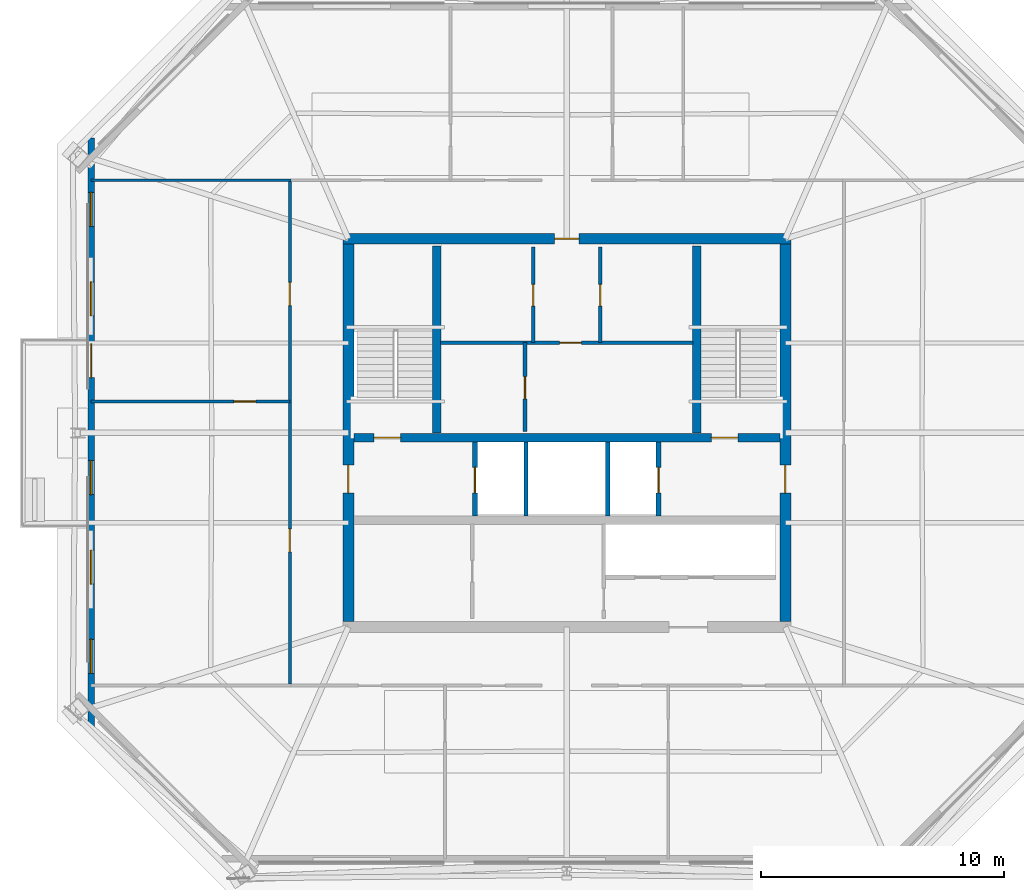
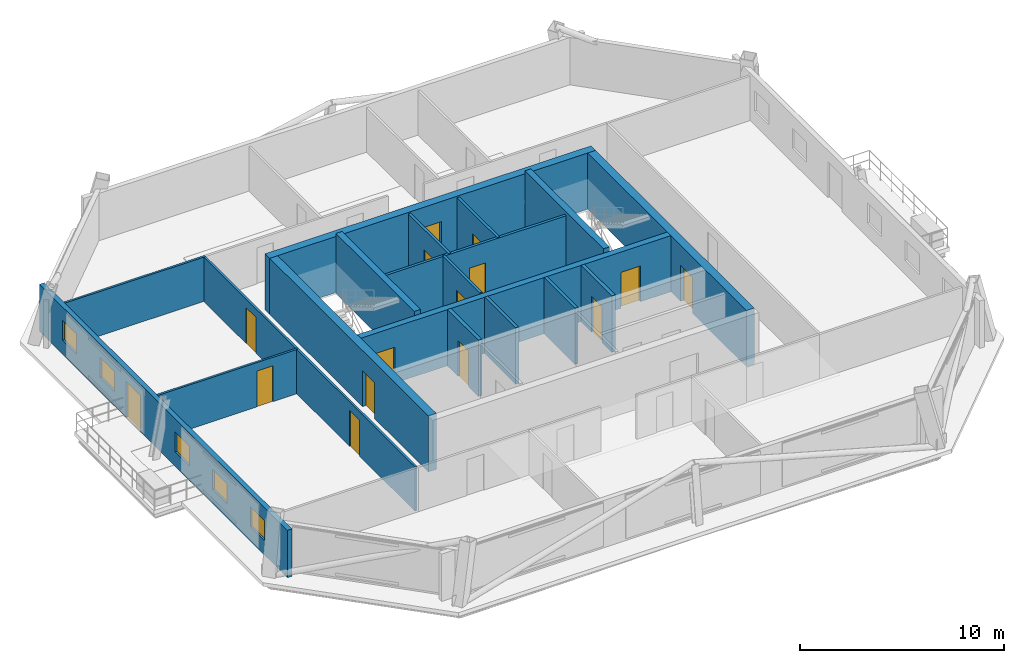
# One storey, part 3 of 7: 18 walls, 15 doors, 5 windows, 20 openings.
"""IFC4 building model written with IfcOpenShell, lengths in metres."""

from ifc_helpers import new_model, si_unit, direction, frame, frame_2d, origin, place, context, subcontext, project, spatial, rectangle, extrude, material, layer, layer_set, type_object, element, fill, save


model = new_model("IFC4")

# Units and contexts
model_context = context("Model", 3, precision=1e-05, world=origin(), true_north=direction((0.0, 1.0)))
body_context = subcontext(model_context, "Body", "Model", "MODEL_VIEW")
ifc_project = project(units=[si_unit("LENGTHUNIT", "METRE"), si_unit("AREAUNIT", "SQUARE_METRE"), si_unit("VOLUMEUNIT", "CUBIC_METRE"), si_unit("PLANEANGLEUNIT", "RADIAN"), si_unit("MASSUNIT", "GRAM", prefix="KILO")], contexts=[model_context])

# Site, building, storey
site_placement = place(None, origin())
site = spatial("IfcSite", under=ifc_project, at=site_placement, CompositionType="ELEMENT")
building_placement = place(site_placement, origin())
building = spatial("IfcBuilding", under=site, at=building_placement, Name="Caelvoria Tower", CompositionType="ELEMENT")
storey_placement = place(building_placement, frame((0.0, 0.0, 227.39990234375)))
storey = spatial("IfcBuildingStorey", under=building, at=storey_placement, Name="L60", CompositionType="ELEMENT", Elevation=227.39990234375)

# Wall, openings, doors
ifc_material_1 = material(Name="Concrete C50/60", Category="concrete")
ifc_layer_1 = layer(ifc_material_1, 0.35009765625, Name="Concrete C50/60")
ifc_layer_set_1 = layer_set([ifc_layer_1], Name="Core Internal Shear Wall 350 - Concrete C50/60")
wall_type_1 = type_object("IfcWallType", Name="Core Internal Shear Wall 350", PredefinedType="SHEAR", material=ifc_layer_set_1)
wall_1_placement = place(storey_placement, frame((37.22509765625, 31.800048828125, 0.0), z_axis=(0.0, 0.0, 1.0), x_axis=(1.0, 0.0, 0.0)))
wall_1 = element("IfcWall", 1, at=wall_1_placement, inside=storey, type_object=wall_type_1, Name="Core Shear Wall L60 M1", PredefinedType="SHEAR", context=body_context, shape_type="SweptSolid", body=[
    extrude(rectangle(XDim=17.5498046875, YDim=0.35009765625, at=frame_2d((8.77490234375, 0.0))), origin(), (0.0, 0.0, 1.0), 3.360107421875),
])
opening_1_placement = place(wall_1_placement, frame((0.824951171875, 0.0, 0.0)))
opening_1 = element("IfcOpeningElement", 2, at=opening_1_placement, cuts=wall_1, Name="Opening ID-01", PredefinedType="OPENING", context=body_context, shape_type="SweptSolid", body=[
    extrude(rectangle(XDim=1.10009765625, YDim=2.14990234375, at=frame_2d((0.550048828125, 1.074951171875))), frame((0.0, 0.18505859375, 0.0), z_axis=(0.0, -1.0, 0.0), x_axis=(1.0, 0.0, 0.0)), (0.0, 0.0, 1.0), 0.3701171875),
])
opening_2_placement = place(wall_1_placement, frame((14.72509765625, 0.0, 0.0)))
opening_2 = element("IfcOpeningElement", 3, at=opening_2_placement, cuts=wall_1, Name="Opening ID-01", PredefinedType="OPENING", context=body_context, shape_type="SweptSolid", body=[
    extrude(rectangle(XDim=1.10009765625, YDim=2.14990234375, at=frame_2d((0.550048828125, 1.074951171875))), frame((0.0, 0.18505859375, 0.0), z_axis=(0.0, -1.0, 0.0), x_axis=(1.0, 0.0, 0.0)), (0.0, 0.0, 1.0), 0.3701171875),
])
ifc_material_2 = material(Name="Painted Hollow Steel Fire Door", Category="steel")
door_type_1 = type_object("IfcDoorType", Name="Fire Door FD90S 1100x2150", OperationType="NOTDEFINED", PredefinedType="DOOR", material=ifc_material_2)
door_1_placement = place(opening_1_placement, origin())
door_1 = element("IfcDoor", 4, at=door_1_placement, inside=storey, type_object=door_type_1, Name="Core Door DR-L60-ST1", OperationType="SINGLE_SWING_LEFT", OverallHeight=2.14990234375, OverallWidth=1.10009765625, PredefinedType="DOOR", context=body_context, shape_type="SweptSolid", body=[
    extrude(rectangle(XDim=1.10009765625, YDim=2.14990234375, at=frame_2d((0.550048828125, 1.074951171875))), frame((0.0, 0.02490234375, 0.0), z_axis=(0.0, -1.0, 0.0), x_axis=(1.0, 0.0, 0.0)), (0.0, 0.0, 1.0), 0.050048828125),
])
fill(opening_1, door_1)
door_2_placement = place(opening_2_placement, origin())
door_2 = element("IfcDoor", 5, at=door_2_placement, inside=storey, type_object=door_type_1, Name="Core Door DR-L60-ST2", OperationType="SINGLE_SWING_RIGHT", OverallHeight=2.14990234375, OverallWidth=1.10009765625, PredefinedType="DOOR", context=body_context, shape_type="SweptSolid", body=[
    extrude(rectangle(XDim=1.10009765625, YDim=2.14990234375, at=frame_2d((0.550048828125, 1.074951171875))), frame((0.0, 0.02490234375, 0.0), z_axis=(0.0, -1.0, 0.0), x_axis=(1.0, 0.0, 0.0)), (0.0, 0.0, 1.0), 0.050048828125),
])
fill(opening_2, door_2)

# Walls
for number, where, z_axis, x_axis, name in (
    (6, (40.64990234375, 32.0, 0.0), (0.0, 0.0, 1.0), (0.0, 1.0, 0.0), "Interior Partition IW-L60-ST1E"),
    (7, (51.35009765625, 32.0, 0.0), (0.0, 0.0, 1.0), (0.0, 1.0, 0.0), "Interior Partition IW-L60-ST2W"),
):
    element("IfcWall", number, at=place(storey_placement, frame(where, z_axis=z_axis, x_axis=x_axis)), inside=storey, type_object=wall_type_1, Name=name, PredefinedType="SHEAR", context=body_context, shape_type="SweptSolid", body=[
        extrude(rectangle(XDim=7.699951171875, YDim=0.35009765625, at=frame_2d((3.85009765625, 0.0))), origin(), (0.0, 0.0, 1.0), 3.60009765625),
    ])

# Wall, opening, door
ifc_material_3 = material(Name="Double Gypsum Board on Steel Stud", Category="steel")
ifc_layer_2 = layer(ifc_material_3, 0.14990234375, Name="Double Gypsum Board on Steel Stud")
ifc_layer_set_2 = layer_set([ifc_layer_2], Name="Core Service Acoustic Partition Wall 150 - Double Gypsum Board on Steel Stud")
wall_type_2 = type_object("IfcWallType", Name="Core Service Acoustic Partition Wall 150", PredefinedType="PARTITIONING", material=ifc_layer_set_2)
wall_2_placement = place(storey_placement, frame((44.6201171875, 35.719970703125, 0.0), z_axis=(0.0, 0.0, 1.0), x_axis=(0.0, 1.0, 0.0)))
wall_2 = element("IfcWall", 8, at=wall_2_placement, inside=storey, type_object=wall_type_2, Name="Interior Partition IW-L60-C0L", PredefinedType="PARTITIONING", context=body_context, shape_type="SweptSolid", body=[
    extrude(rectangle(XDim=3.929931640625, YDim=0.14990234375, at=frame_2d((1.96484375, 0.0))), origin(), (0.0, 0.0, 1.0), 3.375),
])
opening_3_placement = place(wall_2_placement, frame((1.5, 0.0, 0.0)))
opening_3 = element("IfcOpeningElement", 9, at=opening_3_placement, cuts=wall_2, Name="Opening ID-06", PredefinedType="OPENING", context=body_context, shape_type="SweptSolid", body=[
    extrude(rectangle(XDim=0.89990234375, YDim=2.14990234375, at=frame_2d((0.449951171875, 1.074951171875))), frame((0.0, 0.0849609375, 0.0), z_axis=(0.0, -1.0, 0.0), x_axis=(1.0, 0.0, 0.0)), (0.0, 0.0, 1.0), 0.169921875),
])
ifc_material_4 = material(Name="Engineered Andean Oak Veneer Door", Category="wood")
door_type_2 = type_object("IfcDoorType", Name="Interior Timber Door 900x2150", OperationType="NOTDEFINED", PredefinedType="DOOR", material=ifc_material_4)
door_3_placement = place(opening_3_placement, origin())
door_3 = element("IfcDoor", 10, at=door_3_placement, inside=storey, type_object=door_type_2, Name="Interior Door DR-L60-C01", OperationType="SINGLE_SWING_LEFT", OverallHeight=2.14990234375, OverallWidth=0.89990234375, PredefinedType="DOOR", context=body_context, shape_type="SweptSolid", body=[
    extrude(rectangle(XDim=0.89990234375, YDim=2.14990234375, at=frame_2d((0.449951171875, 1.074951171875))), frame((0.0, 0.02490234375, 0.0), z_axis=(0.0, -1.0, 0.0), x_axis=(1.0, 0.0, 0.0)), (0.0, 0.0, 1.0), 0.050048828125),
])
fill(opening_3, door_3)

wall_3_placement = place(storey_placement, frame((47.3798828125, 35.719970703125, 0.0), z_axis=(0.0, 0.0, 1.0), x_axis=(0.0, 1.0, 0.0)))
wall_3 = element("IfcWall", 11, at=wall_3_placement, inside=storey, type_object=wall_type_2, Name="Interior Partition IW-L60-C0R", PredefinedType="PARTITIONING", context=body_context, shape_type="SweptSolid", body=[
    extrude(rectangle(XDim=3.929931640625, YDim=0.14990234375, at=frame_2d((1.96484375, 0.0))), origin(), (0.0, 0.0, 1.0), 3.375),
])
opening_4_placement = place(wall_3_placement, frame((1.5, 0.0, 0.0)))
opening_4 = element("IfcOpeningElement", 12, at=opening_4_placement, cuts=wall_3, Name="Opening ID-06", PredefinedType="OPENING", context=body_context, shape_type="SweptSolid", body=[
    extrude(rectangle(XDim=0.89990234375, YDim=2.14990234375, at=frame_2d((0.449951171875, 1.074951171875))), frame((0.0, 0.0849609375, 0.0), z_axis=(0.0, -1.0, 0.0), x_axis=(1.0, 0.0, 0.0)), (0.0, 0.0, 1.0), 0.169921875),
])
door_4_placement = place(opening_4_placement, origin())
door_4 = element("IfcDoor", 13, at=door_4_placement, inside=storey, type_object=door_type_2, Name="Interior Door DR-L60-C02", OperationType="SINGLE_SWING_RIGHT", OverallHeight=2.14990234375, OverallWidth=0.89990234375, PredefinedType="DOOR", context=body_context, shape_type="SweptSolid", body=[
    extrude(rectangle(XDim=0.89990234375, YDim=2.14990234375, at=frame_2d((0.449951171875, 1.074951171875))), frame((0.0, 0.02490234375, 0.0), z_axis=(0.0, -1.0, 0.0), x_axis=(1.0, 0.0, 0.0)), (0.0, 0.0, 1.0), 0.050048828125),
])
fill(opening_4, door_4)

wall_4_placement = place(storey_placement, frame((44.280029296875, 32.050048828125, 0.0), z_axis=(0.0, 0.0, 1.0), x_axis=(0.0, 1.0, 0.0)))
wall_4 = element("IfcWall", 14, at=wall_4_placement, inside=storey, type_object=wall_type_2, Name="Interior Partition IW-L60-C0M", PredefinedType="PARTITIONING", context=body_context, shape_type="SweptSolid", body=[
    extrude(rectangle(XDim=3.669921875, YDim=0.14990234375, at=frame_2d((1.8349609375, 0.0))), origin(), (0.0, 0.0, 1.0), 3.375),
])
opening_5_placement = place(wall_4_placement, frame((1.35009765625, 0.0, 0.0)))
opening_5 = element("IfcOpeningElement", 15, at=opening_5_placement, cuts=wall_4, Name="Opening ID-07", PredefinedType="OPENING", context=body_context, shape_type="SweptSolid", body=[
    extrude(rectangle(XDim=0.919921875, YDim=2.14990234375, at=frame_2d((0.4599609375, 1.074951171875))), frame((0.0, 0.0849609375, 0.0), z_axis=(0.0, -1.0, 0.0), x_axis=(1.0, 0.0, 0.0)), (0.0, 0.0, 1.0), 0.169921875),
])
ifc_material_5 = material(Name="Engineered Andean Oak Accessible Door", Category="wood")
door_type_3 = type_object("IfcDoorType", Name="Accessible WC Door 950x2150", OperationType="NOTDEFINED", PredefinedType="DOOR", material=ifc_material_5)
door_5_placement = place(opening_5_placement, origin())
door_5 = element("IfcDoor", 16, at=door_5_placement, inside=storey, type_object=door_type_3, Name="Interior Door DR-L60-C05", OperationType="SINGLE_SWING_LEFT", OverallHeight=2.14990234375, OverallWidth=0.919921875, PredefinedType="DOOR", context=body_context, shape_type="SweptSolid", body=[
    extrude(rectangle(XDim=0.919921875, YDim=2.14990234375, at=frame_2d((0.4599609375, 1.074951171875))), frame((0.0, 0.02490234375, 0.0), z_axis=(0.0, -1.0, 0.0), x_axis=(1.0, 0.0, 0.0)), (0.0, 0.0, 1.0), 0.050048828125),
])
fill(opening_5, door_5)

wall_5_placement = place(storey_placement, frame((40.800048828125, 35.719970703125, 0.0), z_axis=(0.0, 0.0, 1.0), x_axis=(1.0, 0.0, 0.0)))
wall_5 = element("IfcWall", 17, at=wall_5_placement, inside=storey, type_object=wall_type_2, Name="Interior Partition IW-L60-C0H", PredefinedType="PARTITIONING", context=body_context, shape_type="SweptSolid", body=[
    extrude(rectangle(XDim=10.39990234375, YDim=0.14990234375, at=frame_2d((5.199951171875, 0.0))), origin(), (0.0, 0.0, 1.0), 3.375),
])
opening_6_placement = place(wall_5_placement, frame((4.89990234375, 0.0, 0.0)))
opening_6 = element("IfcOpeningElement", 18, at=opening_6_placement, cuts=wall_5, Name="Opening ID-04", PredefinedType="OPENING", context=body_context, shape_type="SweptSolid", body=[
    extrude(rectangle(XDim=0.89990234375, YDim=2.14990234375, at=frame_2d((0.449951171875, 1.074951171875))), frame((0.0, 0.0849609375, 0.0), z_axis=(0.0, -1.0, 0.0), x_axis=(1.0, 0.0, 0.0)), (0.0, 0.0, 1.0), 0.169921875),
])
ifc_material_6 = material(Name="Acoustic Timber Fire Door", Category="wood")
door_type_4 = type_object("IfcDoorType", Name="Fire Door FD30S 900x2150", OperationType="NOTDEFINED", PredefinedType="DOOR", material=ifc_material_6)
door_6_placement = place(opening_6_placement, origin())
door_6 = element("IfcDoor", 19, at=door_6_placement, inside=storey, type_object=door_type_4, Name="Interior Door DR-L60-C04", OperationType="SINGLE_SWING_RIGHT", OverallHeight=2.14990234375, OverallWidth=0.89990234375, PredefinedType="DOOR", context=body_context, shape_type="SweptSolid", body=[
    extrude(rectangle(XDim=0.89990234375, YDim=2.14990234375, at=frame_2d((0.449951171875, 1.074951171875))), frame((0.0, 0.02490234375, 0.0), z_axis=(0.0, -1.0, 0.0), x_axis=(1.0, 0.0, 0.0)), (0.0, 0.0, 1.0), 0.050048828125),
])
fill(opening_6, door_6)

# Walls
ifc_material_7 = material(Name="Concrete Block and Fireboard Assembly", Category="concrete")
ifc_layer_3 = layer(ifc_material_7, 0.179931640625, Name="Concrete Block and Fireboard Assembly")
ifc_layer_set_3 = layer_set([ifc_layer_3], Name="Fire-Rated Hoistway Partition Wall 180 - Concrete Block and Fireboard Assembly")
wall_type_3 = type_object("IfcWallType", Name="Fire-Rated Hoistway Partition Wall 180", PredefinedType="PARTITIONING", material=ifc_layer_set_3)
for number, where, z_axis, x_axis, name in (
    (20, (44.320068359375, 28.580078125, 0.0), (0.0, 0.0, 1.0), (0.0, 1.0, 0.0), "Interior Partition IW-L60-SV1W"),
    (21, (47.679931640625, 28.580078125, 0.0), (0.0, 0.0, 1.0), (0.0, 1.0, 0.0), "Interior Partition IW-L60-SV1E"),
):
    element("IfcWall", number, at=place(storey_placement, frame(where, z_axis=z_axis, x_axis=x_axis)), inside=storey, type_object=wall_type_3, Name=name, PredefinedType="PARTITIONING", context=body_context, shape_type="SweptSolid", body=[
        extrude(rectangle(XDim=3.0400390625, YDim=0.179931640625, at=frame_2d((1.52001953125, 0.0))), origin(), (0.0, 0.0, 1.0), 3.375),
    ])

# Wall, opening, door
ifc_layer_4 = layer(ifc_material_7, 0.199951171875, Name="Concrete Block and Fireboard Assembly")
ifc_layer_set_4 = layer_set([ifc_layer_4], Name="Fire-Rated Shaft and Core Partition Wall 200 - Concrete Block and Fireboard Assembly")
wall_type_4 = type_object("IfcWallType", Name="Fire-Rated Shaft and Core Partition Wall 200", PredefinedType="PARTITIONING", material=ifc_layer_set_4)
wall_6_placement = place(storey_placement, frame((42.219970703125, 28.580078125, 0.0), z_axis=(0.0, 0.0, 1.0), x_axis=(0.0, 1.0, 0.0)))
wall_6 = element("IfcWall", 22, at=wall_6_placement, inside=storey, type_object=wall_type_4, Name="Interior Partition IW-L60-LF1W", PredefinedType="PARTITIONING", context=body_context, shape_type="SweptSolid", body=[
    extrude(rectangle(XDim=3.0400390625, YDim=0.199951171875, at=frame_2d((1.52001953125, 0.0))), origin(), (0.0, 0.0, 1.0), 3.375),
])
opening_7_placement = place(wall_6_placement, frame((0.949951171875, 0.0, 0.0)))
opening_7 = element("IfcOpeningElement", 23, at=opening_7_placement, cuts=wall_6, Name="Opening LD-01", PredefinedType="OPENING", context=body_context, shape_type="SweptSolid", body=[
    extrude(rectangle(XDim=1.050048828125, YDim=2.14990234375, at=frame_2d((0.52490234375, 1.074951171875))), frame((0.0, 0.10986328125, 0.0), z_axis=(0.0, -1.0, 0.0), x_axis=(1.0, 0.0, 0.0)), (0.0, 0.0, 1.0), 0.219970703125),
])
ifc_material_8 = material(Name="Brushed Bronze Stainless Sliding Landing Door", Category="aluminium")
door_type_5 = type_object("IfcDoorType", Name="Lift Landing Sliding Door 1100x2150", OperationType="NOTDEFINED", PredefinedType="DOOR", material=ifc_material_8)
door_7_placement = place(opening_7_placement, origin())
door_7 = element("IfcDoor", 24, at=door_7_placement, inside=storey, type_object=door_type_5, Name="Interior Door LD-L60-LF1", OperationType="SLIDING_TO_LEFT", OverallHeight=2.14990234375, OverallWidth=1.050048828125, PredefinedType="DOOR", context=body_context, shape_type="SweptSolid", body=[
    extrude(rectangle(XDim=1.050048828125, YDim=2.14990234375, at=frame_2d((0.52490234375, 1.074951171875))), frame((0.0, 0.02490234375, 0.0), z_axis=(0.0, -1.0, 0.0), x_axis=(1.0, 0.0, 0.0)), (0.0, 0.0, 1.0), 0.050048828125),
])
fill(opening_7, door_7)

wall_7_placement = place(storey_placement, frame((49.780029296875, 28.580078125, 0.0), z_axis=(0.0, 0.0, 1.0), x_axis=(0.0, 1.0, 0.0)))
wall_7 = element("IfcWall", 25, at=wall_7_placement, inside=storey, type_object=wall_type_4, Name="Interior Partition IW-L60-LF2E", PredefinedType="PARTITIONING", context=body_context, shape_type="SweptSolid", body=[
    extrude(rectangle(XDim=3.0400390625, YDim=0.199951171875, at=frame_2d((1.52001953125, 0.0))), origin(), (0.0, 0.0, 1.0), 3.375),
])
opening_8_placement = place(wall_7_placement, frame((0.949951171875, 0.0, 0.0)))
opening_8 = element("IfcOpeningElement", 26, at=opening_8_placement, cuts=wall_7, Name="Opening LD-01", PredefinedType="OPENING", context=body_context, shape_type="SweptSolid", body=[
    extrude(rectangle(XDim=1.050048828125, YDim=2.14990234375, at=frame_2d((0.52490234375, 1.074951171875))), frame((0.0, 0.10986328125, 0.0), z_axis=(0.0, -1.0, 0.0), x_axis=(1.0, 0.0, 0.0)), (0.0, 0.0, 1.0), 0.219970703125),
])
door_8_placement = place(opening_8_placement, origin())
door_8 = element("IfcDoor", 27, at=door_8_placement, inside=storey, type_object=door_type_5, Name="Interior Door LD-L60-LF2", OperationType="SLIDING_TO_RIGHT", OverallHeight=2.14990234375, OverallWidth=1.050048828125, PredefinedType="DOOR", context=body_context, shape_type="SweptSolid", body=[
    extrude(rectangle(XDim=1.050048828125, YDim=2.14990234375, at=frame_2d((0.52490234375, 1.074951171875))), frame((0.0, 0.02490234375, 0.0), z_axis=(0.0, -1.0, 0.0), x_axis=(1.0, 0.0, 0.0)), (0.0, 0.0, 1.0), 0.050048828125),
])
fill(opening_8, door_8)

ifc_material_9 = material(Name="Acoustic Gypsum Board on Light-Gauge Stud", Category="gypsum")
ifc_layer_5 = layer(ifc_material_9, 0.1201171875, Name="Acoustic Gypsum Board on Light-Gauge Stud")
ifc_layer_set_5 = layer_set([ifc_layer_5], Name="Tenant Suite Acoustic Partition Wall 120 - Acoustic Gypsum Board on Light-Gauge Stud")
wall_type_5 = type_object("IfcWallType", Name="Tenant Suite Acoustic Partition Wall 120", PredefinedType="PARTITIONING", material=ifc_layer_set_5)
wall_8_placement = place(storey_placement, frame((34.590087890625, 33.298583984375, 0.0), z_axis=(0.0, 0.0, 1.0), x_axis=(-1.0, 0.0, 0.0)))
wall_8 = element("IfcWall", 28, at=wall_8_placement, inside=storey, type_object=wall_type_5, Name="Interior Partition IW-L60-WD-00-0", PredefinedType="PARTITIONING", context=body_context, shape_type="SweptSolid", body=[
    extrude(rectangle(XDim=8.182861328125, YDim=0.1201171875, at=frame_2d((4.09130859375, 0.0))), origin(), (0.0, 0.0, 1.0), 2.655029296875),
])
opening_9_placement = place(wall_8_placement, frame((1.39990234375, 0.0, 0.0)))
opening_9 = element("IfcOpeningElement", 29, at=opening_9_placement, cuts=wall_8, Name="Opening ID-06", PredefinedType="OPENING", context=body_context, shape_type="SweptSolid", body=[
    extrude(rectangle(XDim=0.89990234375, YDim=2.14990234375, at=frame_2d((0.449951171875, 1.074951171875))), frame((0.0, 0.070068359375, 0.0), z_axis=(0.0, -1.0, 0.0), x_axis=(1.0, 0.0, 0.0)), (0.0, 0.0, 1.0), 0.14013671875),
])
door_9_placement = place(opening_9_placement, origin())
door_9 = element("IfcDoor", 30, at=door_9_placement, inside=storey, type_object=door_type_2, Name="Interior Door DR-L60-WM-00-0", OperationType="SINGLE_SWING_RIGHT", OverallHeight=2.14990234375, OverallWidth=0.89990234375, PredefinedType="DOOR", context=body_context, shape_type="SweptSolid", body=[
    extrude(rectangle(XDim=0.89990234375, YDim=2.14990234375, at=frame_2d((0.449951171875, 1.074951171875))), frame((0.0, 0.02490234375, 0.0), z_axis=(0.0, -1.0, 0.0), x_axis=(1.0, 0.0, 0.0)), (0.0, 0.0, 1.0), 0.050048828125),
])
fill(opening_9, door_9)

# Wall, openings, doors
wall_9_placement = place(storey_placement, frame((34.590087890625, 21.64990234375, 0.0), z_axis=(0.0, 0.0, 1.0), x_axis=(0.0, 1.0, 0.0)))
wall_9 = element("IfcWall", 31, at=wall_9_placement, inside=storey, type_object=wall_type_5, Name="Interior Partition IW-L60-WCW-0", PredefinedType="PARTITIONING", context=body_context, shape_type="SweptSolid", body=[
    extrude(rectangle(XDim=20.7001953125, YDim=0.1201171875, at=frame_2d((10.35009765625, 0.0))), origin(), (0.0, 0.0, 1.0), 2.655029296875),
])
opening_10_placement = place(wall_9_placement, frame((5.44921875, 0.0, 0.0)))
opening_10 = element("IfcOpeningElement", 32, at=opening_10_placement, cuts=wall_9, Name="Opening ID-05", PredefinedType="OPENING", context=body_context, shape_type="SweptSolid", body=[
    extrude(rectangle(XDim=0.949951171875, YDim=2.14990234375, at=frame_2d((0.47509765625, 1.074951171875))), frame((0.0, 0.070068359375, 0.0), z_axis=(0.0, -1.0, 0.0), x_axis=(1.0, 0.0, 0.0)), (0.0, 0.0, 1.0), 0.14013671875),
])
opening_11_placement = place(wall_9_placement, frame((15.59912109375, 0.0, 0.0)))
opening_11 = element("IfcOpeningElement", 33, at=opening_11_placement, cuts=wall_9, Name="Opening ID-05", PredefinedType="OPENING", context=body_context, shape_type="SweptSolid", body=[
    extrude(rectangle(XDim=0.949951171875, YDim=2.14990234375, at=frame_2d((0.47509765625, 1.074951171875))), frame((0.0, 0.070068359375, 0.0), z_axis=(0.0, -1.0, 0.0), x_axis=(1.0, 0.0, 0.0)), (0.0, 0.0, 1.0), 0.14013671875),
])
door_type_6 = type_object("IfcDoorType", Name="Interior Timber Door 950x2150", OperationType="NOTDEFINED", PredefinedType="DOOR", material=ifc_material_4)
door_10_placement = place(opening_10_placement, origin())
door_10 = element("IfcDoor", 34, at=door_10_placement, inside=storey, type_object=door_type_6, Name="Interior Door DR-L60-WC-00-0", OperationType="SINGLE_SWING_LEFT", OverallHeight=2.14990234375, OverallWidth=0.949951171875, PredefinedType="DOOR", context=body_context, shape_type="SweptSolid", body=[
    extrude(rectangle(XDim=0.949951171875, YDim=2.14990234375, at=frame_2d((0.47509765625, 1.074951171875))), frame((0.0, 0.02490234375, 0.0), z_axis=(0.0, -1.0, 0.0), x_axis=(1.0, 0.0, 0.0)), (0.0, 0.0, 1.0), 0.050048828125),
])
fill(opening_10, door_10)
door_11_placement = place(opening_11_placement, origin())
door_11 = element("IfcDoor", 35, at=door_11_placement, inside=storey, type_object=door_type_6, Name="Interior Door DR-L60-WC-01-0", OperationType="SINGLE_SWING_RIGHT", OverallHeight=2.14990234375, OverallWidth=0.949951171875, PredefinedType="DOOR", context=body_context, shape_type="SweptSolid", body=[
    extrude(rectangle(XDim=0.949951171875, YDim=2.14990234375, at=frame_2d((0.47509765625, 1.074951171875))), frame((0.0, 0.02490234375, 0.0), z_axis=(0.0, -1.0, 0.0), x_axis=(1.0, 0.0, 0.0)), (0.0, 0.0, 1.0), 0.050048828125),
])
fill(opening_11, door_11)

# Wall
wall_10_placement = place(storey_placement, frame((34.64990234375, 42.409912109375, 0.0), z_axis=(0.0, 0.0, 1.0), x_axis=(-1.0, 0.0, 0.0)))
element("IfcWall", 36, at=wall_10_placement, inside=storey, type_object=wall_type_5, Name="Interior Partition IW-L60-BNW-0", PredefinedType="PARTITIONING", context=body_context, shape_type="SweptSolid", body=[
    extrude(rectangle(XDim=8.24267578125, YDim=0.1201171875, at=frame_2d((4.121337890625, 0.0))), origin(), (0.0, 0.0, 1.0), 2.655029296875),
])

# Wall, opening, door
ifc_layer_6 = layer(ifc_material_1, 0.449951171875, Name="Concrete C50/60")
ifc_layer_set_6 = layer_set([ifc_layer_6], Name="Upper Core Shear Wall 450 - Concrete C50/60")
wall_type_6 = type_object("IfcWallType", Name="Upper Core Shear Wall 450", PredefinedType="SHEAR", material=ifc_layer_set_6)
wall_11_placement = place(storey_placement, frame((36.77490234375, 40.0, 0.0), z_axis=(0.0, 0.0, 1.0), x_axis=(1.0, 0.0, 0.0)))
wall_11 = element("IfcWall", 37, at=wall_11_placement, inside=storey, type_object=wall_type_6, Name="Core Shear Wall L60 N", PredefinedType="SHEAR", context=body_context, shape_type="SweptSolid", body=[
    extrude(rectangle(XDim=18.4501953125, YDim=0.449951171875, at=frame_2d((9.22509765625, 0.0))), origin(), (0.0, 0.0, 1.0), 3.360107421875),
])
opening_12_placement = place(wall_11_placement, frame((8.72509765625, 0.0, 0.0)))
opening_12 = element("IfcOpeningElement", 38, at=opening_12_placement, cuts=wall_11, Name="Opening ID-03", PredefinedType="OPENING", context=body_context, shape_type="SweptSolid", body=[
    extrude(rectangle(XDim=1.0, YDim=2.14990234375, at=frame_2d((0.5, 1.074951171875))), frame((0.0, 0.23486328125, 0.0), z_axis=(0.0, -1.0, 0.0), x_axis=(1.0, 0.0, 0.0)), (0.0, 0.0, 1.0), 0.469970703125),
])
door_type_7 = type_object("IfcDoorType", Name="Fire Door FD60S 1000x2150", OperationType="NOTDEFINED", PredefinedType="DOOR", material=ifc_material_2)
door_12_placement = place(opening_12_placement, origin())
door_12 = element("IfcDoor", 39, at=door_12_placement, inside=storey, type_object=door_type_7, Name="Core Door DR-L60-WC-MAIN", OperationType="SINGLE_SWING_RIGHT", OverallHeight=2.14990234375, OverallWidth=1.0, PredefinedType="DOOR", context=body_context, shape_type="SweptSolid", body=[
    extrude(rectangle(XDim=1.0, YDim=2.14990234375, at=frame_2d((0.5, 1.074951171875))), frame((0.0, 0.02490234375, 0.0), z_axis=(0.0, -1.0, 0.0), x_axis=(1.0, 0.0, 0.0)), (0.0, 0.0, 1.0), 0.050048828125),
])
fill(opening_12, door_12)

wall_12_placement = place(storey_placement, frame((37.0, 24.22509765625, 0.0), z_axis=(0.0, 0.0, 1.0), x_axis=(0.0, 1.0, 0.0)))
wall_12 = element("IfcWall", 40, at=wall_12_placement, inside=storey, type_object=wall_type_6, Name="Core Shear Wall L60 W", PredefinedType="SHEAR", context=body_context, shape_type="SweptSolid", body=[
    extrude(rectangle(XDim=15.5498046875, YDim=0.449951171875, at=frame_2d((7.77490234375, 0.0))), origin(), (0.0, 0.0, 1.0), 3.360107421875),
])
opening_13_placement = place(wall_12_placement, frame((5.300048828125, 0.0, 0.0)))
opening_13 = element("IfcOpeningElement", 41, at=opening_13_placement, cuts=wall_12, Name="Opening ID-02", PredefinedType="OPENING", context=body_context, shape_type="SweptSolid", body=[
    extrude(rectangle(XDim=1.14990234375, YDim=2.14990234375, at=frame_2d((0.574951171875, 1.074951171875))), frame((0.0, 0.23486328125, 0.0), z_axis=(0.0, -1.0, 0.0), x_axis=(1.0, 0.0, 0.0)), (0.0, 0.0, 1.0), 0.469970703125),
])
door_type_8 = type_object("IfcDoorType", Name="Fire Door FD60S 1150x2150", OperationType="NOTDEFINED", PredefinedType="DOOR", material=ifc_material_2)
door_13_placement = place(opening_13_placement, origin())
door_13 = element("IfcDoor", 42, at=door_13_placement, inside=storey, type_object=door_type_8, Name="Core Door DR-L60-FFLW-OUT", OperationType="SINGLE_SWING_LEFT", OverallHeight=2.14990234375, OverallWidth=1.14990234375, PredefinedType="DOOR", context=body_context, shape_type="SweptSolid", body=[
    extrude(rectangle(XDim=1.14990234375, YDim=2.14990234375, at=frame_2d((0.574951171875, 1.074951171875))), frame((0.0, 0.02490234375, 0.0), z_axis=(0.0, -1.0, 0.0), x_axis=(1.0, 0.0, 0.0)), (0.0, 0.0, 1.0), 0.050048828125),
])
fill(opening_13, door_13)

wall_13_placement = place(storey_placement, frame((55.0, 24.22509765625, 0.0), z_axis=(0.0, 0.0, 1.0), x_axis=(0.0, 1.0, 0.0)))
wall_13 = element("IfcWall", 43, at=wall_13_placement, inside=storey, type_object=wall_type_6, Name="Core Shear Wall L60 E", PredefinedType="SHEAR", context=body_context, shape_type="SweptSolid", body=[
    extrude(rectangle(XDim=15.5498046875, YDim=0.449951171875, at=frame_2d((7.77490234375, 0.0))), origin(), (0.0, 0.0, 1.0), 3.360107421875),
])
opening_14_placement = place(wall_13_placement, frame((5.300048828125, 0.0, 0.0)))
opening_14 = element("IfcOpeningElement", 44, at=opening_14_placement, cuts=wall_13, Name="Opening ID-02", PredefinedType="OPENING", context=body_context, shape_type="SweptSolid", body=[
    extrude(rectangle(XDim=1.14990234375, YDim=2.14990234375, at=frame_2d((0.574951171875, 1.074951171875))), frame((0.0, 0.23486328125, 0.0), z_axis=(0.0, -1.0, 0.0), x_axis=(1.0, 0.0, 0.0)), (0.0, 0.0, 1.0), 0.469970703125),
])
door_14_placement = place(opening_14_placement, origin())
door_14 = element("IfcDoor", 45, at=door_14_placement, inside=storey, type_object=door_type_8, Name="Core Door DR-L60-FFLE-OUT", OperationType="SINGLE_SWING_RIGHT", OverallHeight=2.14990234375, OverallWidth=1.14990234375, PredefinedType="DOOR", context=body_context, shape_type="SweptSolid", body=[
    extrude(rectangle(XDim=1.14990234375, YDim=2.14990234375, at=frame_2d((0.574951171875, 1.074951171875))), frame((0.0, 0.02490234375, 0.0), z_axis=(0.0, -1.0, 0.0), x_axis=(1.0, 0.0, 0.0)), (0.0, 0.0, 1.0), 0.050048828125),
])
fill(opening_14, door_14)

# Wall, openings, windows, door
ifc_material_10 = material(Name="Precast Concrete C40/50 with Bronze Cladding", Category="concrete")
ifc_layer_7 = layer(ifc_material_10, 0.264892578125, Name="Precast Concrete C40/50 with Bronze Cladding")
ifc_layer_set_7 = layer_set([ifc_layer_7], Name="Upper Taper Precast Concrete C40/50 Bronze Facade Wall 265 - Precast Concrete C40/50 with Bronze Cladding")
wall_type_7 = type_object("IfcWallType", Name="Upper Taper Precast Concrete C40/50 Bronze Facade Wall 265", PredefinedType="STANDARD", material=ifc_layer_set_7)
wall_14_placement = place(storey_placement, frame((26.4072265625, 44.149169921875, 0.0), z_axis=(0.0, 0.0, 1.0), x_axis=(0.0, -1.0, 0.0)))
wall_14 = element("IfcWall", 46, at=wall_14_placement, inside=storey, type_object=wall_type_7, Name="Exterior Facade Wall L60-E6", PredefinedType="STANDARD", context=body_context, shape_type="SweptSolid", body=[
    extrude(rectangle(XDim=24.29833984375, YDim=0.264892578125, at=frame_2d((12.149169921875, 0.0))), origin(), (0.0, 0.0, 1.0), 2.83203125),
])
opening_15_placement = place(wall_14_placement, frame((8.468994140625, 0.0, 0.0)))
opening_15 = element("IfcOpeningElement", 47, at=opening_15_placement, cuts=wall_14, Name="Opening ED-04", PredefinedType="OPENING", context=body_context, shape_type="SweptSolid", body=[
    extrude(rectangle(XDim=1.39990234375, YDim=2.14990234375, at=frame_2d((0.699951171875, 1.074951171875))), frame((0.0, 0.142333984375, 0.0), z_axis=(0.0, -1.0, 0.0), x_axis=(1.0, 0.0, 0.0)), (0.0, 0.0, 1.0), 0.284912109375),
])
opening_16_placement = place(wall_14_placement, frame((2.241455078125, 0.0, 0.85009765625)))
opening_16 = element("IfcOpeningElement", 48, at=opening_16_placement, cuts=wall_14, Name="Opening WN-06", PredefinedType="OPENING", context=body_context, shape_type="SweptSolid", body=[
    extrude(rectangle(XDim=1.39990234375, YDim=1.199951171875, at=frame_2d((0.699951171875, 0.60009765625))), frame((0.0, 0.142333984375, 0.0), z_axis=(0.0, -1.0, 0.0), x_axis=(1.0, 0.0, 0.0)), (0.0, 0.0, 1.0), 0.284912109375),
])
opening_17_placement = place(wall_14_placement, frame((5.924560546875, 0.0, 0.85009765625)))
opening_17 = element("IfcOpeningElement", 49, at=opening_17_placement, cuts=wall_14, Name="Opening WN-06", PredefinedType="OPENING", context=body_context, shape_type="SweptSolid", body=[
    extrude(rectangle(XDim=1.39990234375, YDim=1.199951171875, at=frame_2d((0.699951171875, 0.60009765625))), frame((0.0, 0.142333984375, 0.0), z_axis=(0.0, -1.0, 0.0), x_axis=(1.0, 0.0, 0.0)), (0.0, 0.0, 1.0), 0.284912109375),
])
opening_18_placement = place(wall_14_placement, frame((13.29052734375, 0.0, 0.85009765625)))
opening_18 = element("IfcOpeningElement", 50, at=opening_18_placement, cuts=wall_14, Name="Opening WN-06", PredefinedType="OPENING", context=body_context, shape_type="SweptSolid", body=[
    extrude(rectangle(XDim=1.39990234375, YDim=1.199951171875, at=frame_2d((0.699951171875, 0.60009765625))), frame((0.0, 0.142333984375, 0.0), z_axis=(0.0, -1.0, 0.0), x_axis=(1.0, 0.0, 0.0)), (0.0, 0.0, 1.0), 0.284912109375),
])
opening_19_placement = place(wall_14_placement, frame((16.9736328125, 0.0, 0.85009765625)))
opening_19 = element("IfcOpeningElement", 51, at=opening_19_placement, cuts=wall_14, Name="Opening WN-06", PredefinedType="OPENING", context=body_context, shape_type="SweptSolid", body=[
    extrude(rectangle(XDim=1.39990234375, YDim=1.199951171875, at=frame_2d((0.699951171875, 0.60009765625))), frame((0.0, 0.142333984375, 0.0), z_axis=(0.0, -1.0, 0.0), x_axis=(1.0, 0.0, 0.0)), (0.0, 0.0, 1.0), 0.284912109375),
])
opening_20_placement = place(wall_14_placement, frame((20.65673828125, 0.0, 0.85009765625)))
opening_20 = element("IfcOpeningElement", 52, at=opening_20_placement, cuts=wall_14, Name="Opening WN-06", PredefinedType="OPENING", context=body_context, shape_type="SweptSolid", body=[
    extrude(rectangle(XDim=1.39990234375, YDim=1.199951171875, at=frame_2d((0.699951171875, 0.60009765625))), frame((0.0, 0.142333984375, 0.0), z_axis=(0.0, -1.0, 0.0), x_axis=(1.0, 0.0, 0.0)), (0.0, 0.0, 1.0), 0.284912109375),
])
ifc_material_11 = material(Name="Low-E Tinted Glass in Bronze Aluminium Frame", Category="aluminium")
window_type = type_object("IfcWindowType", Name="Podium Clerestory Window 1400x1200", PartitioningType="SINGLE_PANEL", PredefinedType="WINDOW", material=ifc_material_11)
window_1_placement = place(opening_16_placement, origin())
window_1 = element("IfcWindow", 53, at=window_1_placement, inside=storey, type_object=window_type, Name="Facade Window L60-E6-00", OverallHeight=1.199951171875, OverallWidth=1.39990234375, PartitioningType="SINGLE_PANEL", PredefinedType="WINDOW", context=body_context, shape_type="SweptSolid", body=[
    extrude(rectangle(XDim=1.39990234375, YDim=1.199951171875, at=frame_2d((0.699951171875, 0.60009765625))), frame((0.0, 0.030029296875, 0.0), z_axis=(0.0, -1.0, 0.0), x_axis=(1.0, 0.0, 0.0)), (0.0, 0.0, 1.0), 0.06005859375),
])
fill(opening_16, window_1)
window_2_placement = place(opening_17_placement, origin())
window_2 = element("IfcWindow", 54, at=window_2_placement, inside=storey, type_object=window_type, Name="Facade Window L60-E6-01", OverallHeight=1.199951171875, OverallWidth=1.39990234375, PartitioningType="SINGLE_PANEL", PredefinedType="WINDOW", context=body_context, shape_type="SweptSolid", body=[
    extrude(rectangle(XDim=1.39990234375, YDim=1.199951171875, at=frame_2d((0.699951171875, 0.60009765625))), frame((0.0, 0.030029296875, 0.0), z_axis=(0.0, -1.0, 0.0), x_axis=(1.0, 0.0, 0.0)), (0.0, 0.0, 1.0), 0.06005859375),
])
fill(opening_17, window_2)
window_3_placement = place(opening_18_placement, origin())
window_3 = element("IfcWindow", 55, at=window_3_placement, inside=storey, type_object=window_type, Name="Facade Window L60-E6-03", OverallHeight=1.199951171875, OverallWidth=1.39990234375, PartitioningType="SINGLE_PANEL", PredefinedType="WINDOW", context=body_context, shape_type="SweptSolid", body=[
    extrude(rectangle(XDim=1.39990234375, YDim=1.199951171875, at=frame_2d((0.699951171875, 0.60009765625))), frame((0.0, 0.030029296875, 0.0), z_axis=(0.0, -1.0, 0.0), x_axis=(1.0, 0.0, 0.0)), (0.0, 0.0, 1.0), 0.06005859375),
])
fill(opening_18, window_3)
window_4_placement = place(opening_19_placement, origin())
window_4 = element("IfcWindow", 56, at=window_4_placement, inside=storey, type_object=window_type, Name="Facade Window L60-E6-04", OverallHeight=1.199951171875, OverallWidth=1.39990234375, PartitioningType="SINGLE_PANEL", PredefinedType="WINDOW", context=body_context, shape_type="SweptSolid", body=[
    extrude(rectangle(XDim=1.39990234375, YDim=1.199951171875, at=frame_2d((0.699951171875, 0.60009765625))), frame((0.0, 0.030029296875, 0.0), z_axis=(0.0, -1.0, 0.0), x_axis=(1.0, 0.0, 0.0)), (0.0, 0.0, 1.0), 0.06005859375),
])
fill(opening_19, window_4)
window_5_placement = place(opening_20_placement, origin())
window_5 = element("IfcWindow", 57, at=window_5_placement, inside=storey, type_object=window_type, Name="Facade Window L60-E6-05", OverallHeight=1.199951171875, OverallWidth=1.39990234375, PartitioningType="SINGLE_PANEL", PredefinedType="WINDOW", context=body_context, shape_type="SweptSolid", body=[
    extrude(rectangle(XDim=1.39990234375, YDim=1.199951171875, at=frame_2d((0.699951171875, 0.60009765625))), frame((0.0, 0.030029296875, 0.0), z_axis=(0.0, -1.0, 0.0), x_axis=(1.0, 0.0, 0.0)), (0.0, 0.0, 1.0), 0.06005859375),
])
fill(opening_20, window_5)
ifc_material_12 = material(Name="Anodised Bronze Aluminium and Laminated Glass", Category="aluminium")
door_type_9 = type_object("IfcDoorType", Name="Tree Balcony Glazed Door 1400x2150", OperationType="NOTDEFINED", PredefinedType="DOOR", material=ifc_material_12)
door_15_placement = place(opening_15_placement, origin())
door_15 = element("IfcDoor", 58, at=door_15_placement, inside=storey, type_object=door_type_9, Name="Tree Balcony Door L60-W", OperationType="SINGLE_SWING_LEFT", OverallHeight=2.14990234375, OverallWidth=1.39990234375, PredefinedType="DOOR", context=body_context, shape_type="SweptSolid", body=[
    extrude(rectangle(XDim=1.39990234375, YDim=2.14990234375, at=frame_2d((0.699951171875, 1.074951171875))), frame((0.0, 0.02490234375, 0.0), z_axis=(0.0, -1.0, 0.0), x_axis=(1.0, 0.0, 0.0)), (0.0, 0.0, 1.0), 0.050048828125),
])
fill(opening_15, door_15)

save(model, "model.ifc")
